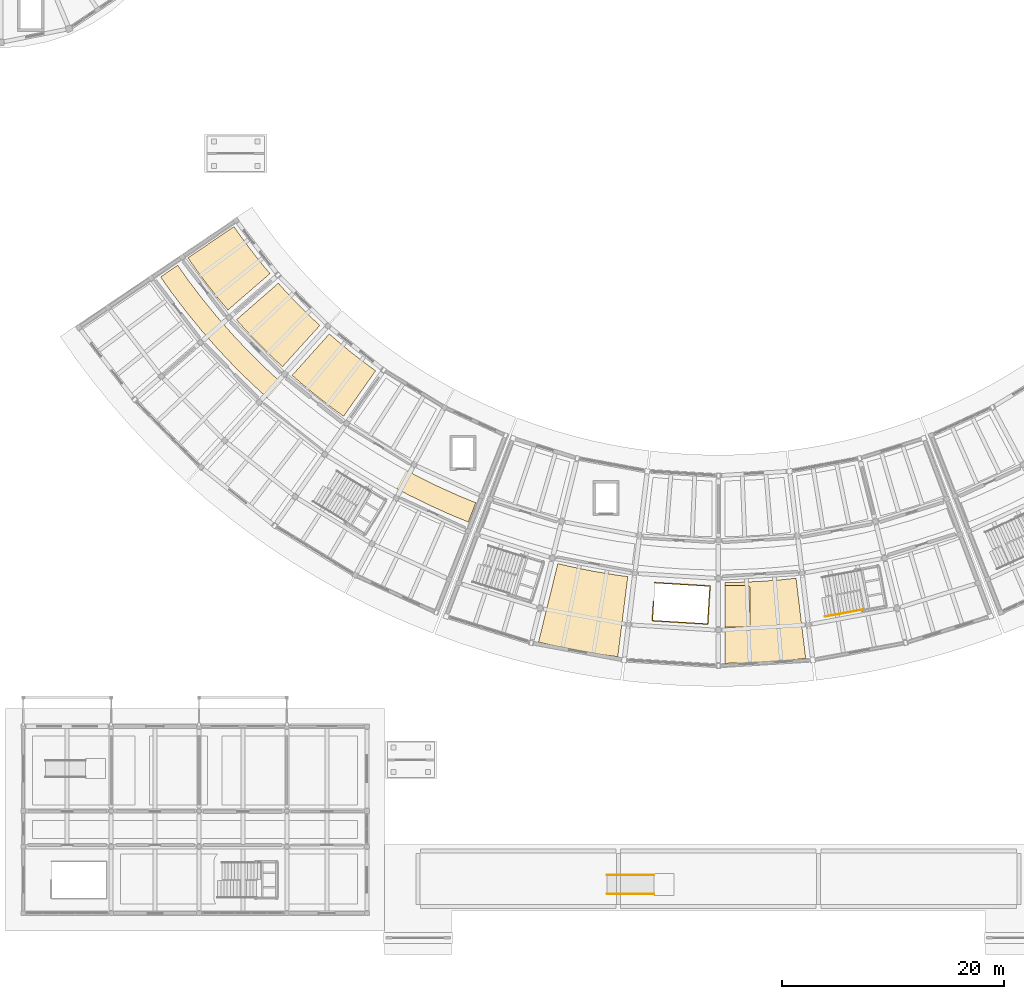
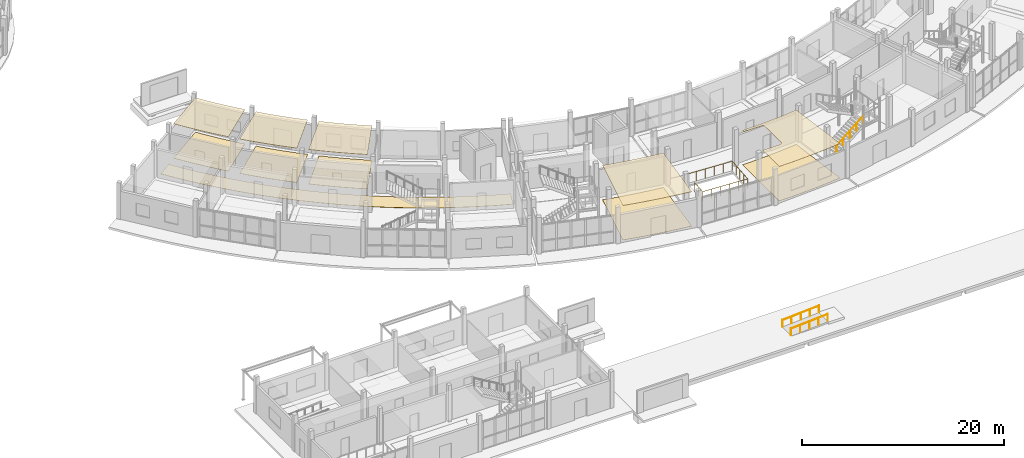
# One storey, part 81 of 92: 11 coverings, 4 railings.
"""IFC4 building model written with IfcOpenShell, lengths in metres."""

import ifcopenshell
import ifcopenshell.guid

model = None  # the IFC model being written
_history = None  # IfcOwnerHistory: only IFC2X3 demands one
_inside = {}  # id of a spatial element -> (the spatial element, [elements in it])
_under = {}  # id of a project, library or spatial element -> (it, [spatial elements below it])
_declared = {}  # id of a project -> (the project, [libraries it declares])
_typed = {}  # id of a type object -> (the type object, [elements of that type])
_made_of = {}  # id of a material, layer set ... -> (it, [elements and type objects made of it])


def new_model(schema):
    """Start an empty IFC model of exactly this schema.

    Asked for "IFC4X3", IfcOpenShell would pick the latest addendum, in which some entities
    have other attributes; the version numbers below select the first issue.
    IFC2X3 requires an IfcOwnerHistory on every rooted entity: one is made here for all.
    """
    global model, _history
    if schema == "IFC4X3":
        model = ifcopenshell.file(schema_version=(4, 3, 0, 0))
    else:
        model = ifcopenshell.file(schema=schema)
    _inside.clear()
    _under.clear()
    _declared.clear()
    _typed.clear()
    _made_of.clear()
    _history = None
    if model.schema == "IFC2X3":
        org = make("IfcOrganization", Name="unknown")
        user = make(
            "IfcPersonAndOrganization",
            ThePerson=make("IfcPerson", FamilyName="unknown"),
            TheOrganization=org,
        )
        app = make(
            "IfcApplication",
            ApplicationDeveloper=org,
            Version="unknown",
            ApplicationFullName="unknown",
            ApplicationIdentifier="unknown",
        )
        _history = make(
            "IfcOwnerHistory",
            OwningUser=user,
            OwningApplication=app,
            ChangeAction="ADDED",
            CreationDate=0,
        )
    return model


def make(cls, **values):
    """One entity of the class cls with the attributes given. An attribute that is None is left unset."""
    return model.create_entity(
        cls, **{name: value for name, value in values.items() if value is not None}
    )


def rooted(cls, **values):
    """An entity with a GlobalId (a new one), such as an element, a storey or a relation."""
    return make(cls, GlobalId=ifcopenshell.guid.new(), OwnerHistory=_history, **values)


def si_unit(unit_type, name, prefix=None):
    """IfcSIUnit, for example si_unit("LENGTHUNIT", "METRE", prefix="MILLI")."""
    return make("IfcSIUnit", UnitType=unit_type, Prefix=prefix, Name=name)


def assignment(units):
    """IfcUnitAssignment: the units of a project."""
    return None if units is None else make("IfcUnitAssignment", Units=units)


def point(xyz):
    """IfcCartesianPoint."""
    return None if xyz is None else make("IfcCartesianPoint", Coordinates=xyz)


def direction(xyz):
    """IfcDirection."""
    return None if xyz is None else make("IfcDirection", DirectionRatios=xyz)


def frame(location, z_axis=None, x_axis=None):
    """IfcAxis2Placement3D, a coordinate frame: its origin and axes. An axis left out is left unset."""
    return make(
        "IfcAxis2Placement3D",
        Location=point(location),
        Axis=direction(z_axis),
        RefDirection=direction(x_axis),
    )


def frame_2d(location, x_axis=None):
    """IfcAxis2Placement2D, a coordinate frame in the plane: its origin and x axis."""
    return make(
        "IfcAxis2Placement2D", Location=point(location), RefDirection=direction(x_axis)
    )


def origin():
    """The frame at (0, 0, 0) with its axes left unset."""
    return frame((0.0, 0.0, 0.0))


def origin_2d():
    """The frame at (0, 0) in the plane with its x axis left unset."""
    return frame_2d((0.0, 0.0))


def place(relative_to, where):
    """IfcLocalPlacement: puts the frame where relative to a parent placement (None: the world)."""
    return make(
        "IfcLocalPlacement", PlacementRelTo=relative_to, RelativePlacement=where
    )


def context(
    kind, dimensions, precision=None, world=None, true_north=None, identifier=None
):
    """IfcGeometricRepresentationContext, for example the 3D "Model" context."""
    return make(
        "IfcGeometricRepresentationContext",
        ContextIdentifier=identifier,
        ContextType=kind,
        CoordinateSpaceDimension=dimensions,
        Precision=precision,
        WorldCoordinateSystem=world,
        TrueNorth=true_north,
    )


def subcontext(parent, identifier, kind, view, scale=None):
    """IfcGeometricRepresentationSubContext, for example "Body" below "Model"."""
    return make(
        "IfcGeometricRepresentationSubContext",
        ContextIdentifier=identifier,
        ContextType=kind,
        ParentContext=parent,
        TargetScale=scale,
        TargetView=view,
    )


def project(units=None, contexts=None):
    """IfcProject with its units and contexts."""
    return rooted(
        "IfcProject",
        Name="project",
        RepresentationContexts=contexts,
        UnitsInContext=assignment(units),
    )


def spatial(cls, under=None, at=None, **own):
    """A site, building, storey or space (cls), placed at a placement, below another one or the project."""
    s = rooted(cls, ObjectPlacement=at, **own)
    if under is not None:
        _under.setdefault(under.id(), (under, []))[1].append(s)
    return s


def polyline(points):
    """IfcPolyline through the points."""
    return make("IfcPolyline", Points=[point(p) for p in points])


def profile(cls, at=None, kind="AREA", **sizes):
    """A parametric profile (cls). Its sizes go by their IFC names, for example OverallWidth=200.0."""
    return make(cls, ProfileType=kind, Position=at, **sizes)


def circle(**sizes):
    """IfcCircleProfileDef."""
    return profile("IfcCircleProfileDef", **sizes)


def outline(outer, holes=None, kind="AREA"):
    """IfcArbitraryClosedProfileDef: a profile drawn as a closed curve; with holes, ...WithVoids."""
    if holes is None:
        return make("IfcArbitraryClosedProfileDef", ProfileType=kind, OuterCurve=outer)
    return make(
        "IfcArbitraryProfileDefWithVoids",
        ProfileType=kind,
        OuterCurve=outer,
        InnerCurves=holes,
    )


def extrude(swept, where, along, depth):
    """IfcExtrudedAreaSolid: the profile swept, set in the frame where, extruded along a direction by depth."""
    return make(
        "IfcExtrudedAreaSolid",
        SweptArea=swept,
        Position=where,
        ExtrudedDirection=direction(along),
        Depth=depth,
    )


def shape(context_of_items, identifier, shape_type, items):
    """IfcShapeRepresentation: the items that make up one representation, for example the "Body"."""
    return make(
        "IfcShapeRepresentation",
        ContextOfItems=context_of_items,
        RepresentationIdentifier=identifier,
        RepresentationType=shape_type,
        Items=items,
    )


def material(Name=None, Category=None):
    """IfcMaterial."""
    return make("IfcMaterial", Name=Name, Category=Category)


def layer(
    of_material, thickness, ventilated=None, Name=None, Category=None, Priority=None
):
    """IfcMaterialLayer: one layer of a wall or slab, of a material (None: an air gap)."""
    return make(
        "IfcMaterialLayer",
        Material=of_material,
        LayerThickness=thickness,
        IsVentilated=ventilated,
        Name=Name,
        Category=Category,
        Priority=Priority,
    )


def layer_set(layers, Name=None):
    """IfcMaterialLayerSet."""
    return make("IfcMaterialLayerSet", MaterialLayers=layers, LayerSetName=Name)


def made_of(thing, what):
    """Note that an element or type object is made of a material, layer set ...; save() writes the relation."""
    if what is not None:
        _made_of.setdefault(what.id(), (what, []))[1].append(thing)
    return thing


def type_object(cls, material=None, **own):
    """A type object (cls), such as IfcWallType, which elements share."""
    return made_of(rooted(cls, **own), material)


def element(
    cls,
    number,
    at=None,
    inside=None,
    cuts=None,
    type_object=None,
    material=None,
    context=None,
    identifier="Body",
    shape_type=None,
    held_by="IfcProductDefinitionShape",
    body=None,
    shapes=None,
    **own,
):
    """One element of the class cls, such as IfcWall. Its Tag is "e" and its number.

    at: its placement. inside: the storey or other place that contains it. cuts: it is an
    opening in that element (IfcRelVoidsElement). A single representation is given by context,
    identifier, shape_type and body (its items); several are given by shapes. held_by: the class
    of the entity that holds the representations. save() writes the other relations.
    """
    e = rooted(cls, Tag="e%d" % number, ObjectPlacement=at, **own)
    if body is not None:
        shapes = [shape(context, identifier, shape_type, body)]
    if shapes is not None:
        e.Representation = make(held_by, Representations=shapes)
    if inside is not None:
        _inside.setdefault(inside.id(), (inside, []))[1].append(e)
    if cuts is not None:
        rooted(
            "IfcRelVoidsElement", RelatingBuildingElement=cuts, RelatedOpeningElement=e
        )
    if type_object is not None:
        _typed.setdefault(type_object.id(), (type_object, []))[1].append(e)
    return made_of(e, material)


def aggregate(whole, parts):
    """IfcRelAggregates: a whole, such as a stair, and the parts it consists of."""
    return rooted("IfcRelAggregates", RelatingObject=whole, RelatedObjects=parts)


def save(model, path):
    """Write the relations noted so far, then the file.

    IfcRelAggregates (storeys below a building ...), IfcRelContainedInSpatialStructure (elements
    in a storey), IfcRelDefinesByType, IfcRelAssociatesMaterial and IfcRelDeclares: one each for
    every whole, place, type object, material and project.
    """
    for whole, parts in _under.values():
        aggregate(whole, parts)
    for where, things in _inside.values():
        rooted(
            "IfcRelContainedInSpatialStructure",
            RelatedElements=things,
            RelatingStructure=where,
        )
    for kind, things in _typed.values():
        rooted("IfcRelDefinesByType", RelatedObjects=things, RelatingType=kind)
    for what, things in _made_of.values():
        rooted("IfcRelAssociatesMaterial", RelatedObjects=things, RelatingMaterial=what)
    for by, libraries in _declared.values():
        rooted("IfcRelDeclares", RelatingContext=by, RelatedDefinitions=libraries)
    model.write(path)


model = new_model("IFC4")

# Units and contexts
model_context = context("Model", 3, precision=1e-05, world=origin(), true_north=direction((0.0, 1.0)))
body_context = subcontext(model_context, "Body", "Model", "MODEL_VIEW")
ifc_project = project(units=[si_unit("LENGTHUNIT", "METRE"), si_unit("AREAUNIT", "SQUARE_METRE"), si_unit("VOLUMEUNIT", "CUBIC_METRE"), si_unit("PLANEANGLEUNIT", "RADIAN"), si_unit("MASSUNIT", "GRAM", prefix="KILO")], contexts=[model_context])

# Site, building, storey
site_placement = place(None, origin())
site = spatial("IfcSite", under=ifc_project, at=site_placement, CompositionType="ELEMENT")
building_placement = place(site_placement, origin())
building = spatial("IfcBuilding", under=site, at=building_placement, Name="Caldaven Crescent School", CompositionType="ELEMENT")
storey_placement = place(building_placement, origin())
storey = spatial("IfcBuildingStorey", under=building, at=storey_placement, Name="L00", CompositionType="ELEMENT", Elevation=0.0)

# Coverings
ifc_material_1 = material(Name="Perforated Pino Radiata acoustic timber baffle ceiling", Category="wood")
ifc_layer_1 = layer(ifc_material_1, 0.0380859375)
ifc_layer_set_1 = layer_set([ifc_layer_1], Name="Perforated Pino Radiata acoustic timber baffle ceiling")
covering_type_1 = type_object("IfcCoveringType", Name="COV-CLG2", PredefinedType="CEILING", material=ifc_layer_set_1)
covering_1_placement = place(storey_placement, frame((0.0, 0.0, 4.162109375)))
element("IfcCovering", 1, at=covering_1_placement, inside=storey, type_object=covering_type_1, Name="CLG-L00-089", PredefinedType="CEILING", context=body_context, shape_type="SweptSolid", body=[
    extrude(outline(polyline([(45.0751953125, 65.03173828125), (45.082763671875, 65.02099609375), (46.00390625, 63.783447265625), (46.011962890625, 63.77294921875), (46.968994140625, 62.56298828125), (46.977294921875, 62.552978515625), (47.68408203125, 61.711181640625), (43.9033203125, 58.439697265625), (43.097412109375, 59.39892578125), (42.041015625, 60.734619140625), (41.0244140625, 62.1005859375), (40.306396484375, 63.127197265625), (44.445068359375, 65.9326171875), (45.0751953125, 65.03173828125)])), origin(), (0.0, 0.0, 1.0), 0.037841796875),
])
covering_2_placement = place(storey_placement, frame((0.0, 0.0, 4.162109375)))
element("IfcCovering", 2, at=covering_2_placement, inside=storey, type_object=covering_type_1, Name="CLG-L00-093", PredefinedType="CEILING", context=body_context, shape_type="SweptSolid", body=[
    extrude(outline(polyline([(53.842041015625, 55.567138671875), (53.85205078125, 55.55859375), (55.045166015625, 54.580810546875), (55.055419921875, 54.572509765625), (56.27685546875, 53.6298828125), (56.287353515625, 53.6220703125), (57.177001953125, 52.976318359375), (54.2998046875, 48.88720703125), (53.285888671875, 49.623291015625), (51.937744140625, 50.66357421875), (50.620849609375, 51.742919921875), (49.67578125, 52.5654296875), (53.0126953125, 56.288818359375), (53.842041015625, 55.567138671875)])), origin(), (0.0, 0.0, 1.0), 0.037841796875),
])
ifc_layer_2 = layer(ifc_material_1, 0.0458984375)
ifc_layer_set_2 = layer_set([ifc_layer_2], Name="Perforated Pino Radiata acoustic timber baffle ceiling")
covering_type_2 = type_object("IfcCoveringType", Name="COV-CLG3", PredefinedType="CEILING", material=ifc_layer_set_2)
covering_3_placement = place(storey_placement, frame((0.0, 0.0, 4.154052734375)))
element("IfcCovering", 3, at=covering_3_placement, inside=storey, type_object=covering_type_2, Name="CLG-L00-102", PredefinedType="CEILING", context=body_context, shape_type="SweptSolid", body=[
    extrude(outline(polyline([(89.960205078125, 33.9609375), (89.973388671875, 33.96142578125), (91.78271484375, 34.04541015625), (91.7958984375, 34.046142578125), (93.60205078125, 34.183349609375), (93.614990234375, 34.1845703125), (94.9755859375, 34.328125), (95.84375, 27.120361328125), (94.264404296875, 26.95361328125), (92.232421875, 26.79931640625), (90.19677734375, 26.704833984375), (88.609130859375, 26.677978515625), (88.6015625, 29.949951171875), (90.60009765625, 29.949951171875), (90.62451171875, 29.951171875), (90.648681640625, 29.954833984375), (90.672607421875, 29.960693359375), (90.69580078125, 29.968994140625), (90.7177734375, 29.9794921875), (90.739013671875, 29.9921875), (90.758544921875, 30.006591796875), (90.77685546875, 30.023193359375), (90.793212890625, 30.04150390625), (90.807861328125, 30.06103515625), (90.820556640625, 30.082275390625), (90.8310546875, 30.104248046875), (90.839111328125, 30.12744140625), (90.84521484375, 30.151123046875), (90.848876953125, 30.175537109375), (90.85009765625, 30.199951171875), (90.85009765625, 33.39990234375), (90.848876953125, 33.424560546875), (90.84521484375, 33.44873046875), (90.839111328125, 33.47265625), (90.8310546875, 33.49560546875), (90.820556640625, 33.517822265625), (90.807861328125, 33.538818359375), (90.793212890625, 33.55859375), (90.77685546875, 33.576904296875), (90.758544921875, 33.59326171875), (90.739013671875, 33.60791015625), (90.7177734375, 33.62060546875), (90.69580078125, 33.631103515625), (90.672607421875, 33.63916015625), (90.648681640625, 33.645263671875), (90.62451171875, 33.648681640625), (90.60009765625, 33.64990234375), (88.593017578125, 33.64990234375), (88.59228515625, 33.937744140625), (89.960205078125, 33.9609375)])), origin(), (0.0, 0.0, 1.0), 0.0458984375),
])
ifc_layer_3 = layer(ifc_material_1, 0.053955078125)
ifc_layer_set_3 = layer_set([ifc_layer_3], Name="Perforated Pino Radiata acoustic timber baffle ceiling")
covering_type_3 = type_object("IfcCoveringType", Name="COV-CLG4", PredefinedType="CEILING", material=ifc_layer_set_3)
covering_4_placement = place(storey_placement, frame((0.0, 0.0, 4.14599609375)))
element("IfcCovering", 4, at=covering_4_placement, inside=storey, type_object=covering_type_3, Name="CLG-L00-091", PredefinedType="CEILING", context=body_context, shape_type="SweptSolid", body=[
    extrude(outline(polyline([(49.169189453125, 60.03125), (49.177978515625, 60.021484375), (50.242919921875, 58.905517578125), (50.252197265625, 58.896240234375), (51.349609375, 57.81201171875), (51.359130859375, 57.802734375), (52.163330078125, 57.053466796875), (48.809326171875, 53.345458984375), (47.892578125, 54.199462890625), (46.681396484375, 55.396240234375), (45.505859375, 56.62841796875), (44.668212890625, 57.559814453125), (48.43408203125, 60.8486328125), (49.169189453125, 60.03125)])), origin(), (0.0, 0.0, 1.0), 0.053955078125),
])
covering_5_placement = place(storey_placement, frame((0.0, 0.0, 4.14599609375)))
element("IfcCovering", 5, at=covering_5_placement, inside=storey, type_object=covering_type_3, Name="CLG-L00-099", PredefinedType="CEILING", context=body_context, shape_type="SweptSolid", body=[
    extrude(outline(polyline([(74.893310546875, 35.32958984375), (74.90625, 35.326904296875), (76.68212890625, 34.970703125), (76.695068359375, 34.96826171875), (78.480712890625, 34.664306640625), (78.493896484375, 34.662353515625), (79.848388671875, 34.47265625), (78.947265625, 27.268798828125), (77.374755859375, 27.489013671875), (75.365478515625, 27.8310546875), (73.367431640625, 28.231689453125), (71.8203125, 28.589599609375), (73.560546875, 35.637939453125), (74.893310546875, 35.32958984375)])), origin(), (0.0, 0.0, 1.0), 0.053955078125),
])
ifc_material_2 = material(Name="Polished terrazzo and acoustic linoleum flooring")
ifc_layer_4 = layer(ifc_material_2, 0.02001953125)
ifc_layer_set_4 = layer_set([ifc_layer_4], Name="Polished terrazzo and acoustic linoleum flooring")
covering_type_4 = type_object("IfcCoveringType", Name="COV-FLR1", PredefinedType="FLOORING", material=ifc_layer_set_4)
covering_6_placement = place(storey_placement, origin())
element("IfcCovering", 6, at=covering_6_placement, inside=storey, type_object=covering_type_4, Name="FLR-L00-093", PredefinedType="FLOORING", context=body_context, shape_type="SweptSolid", body=[
    extrude(outline(polyline([(53.0126953125, 56.288818359375), (53.842041015625, 55.567138671875), (53.85205078125, 55.55859375), (55.045166015625, 54.580810546875), (55.055419921875, 54.572509765625), (56.27685546875, 53.6298828125), (56.287353515625, 53.6220703125), (57.177001953125, 52.976318359375), (54.2998046875, 48.88720703125), (53.285888671875, 49.623291015625), (51.937744140625, 50.66357421875), (50.620849609375, 51.742919921875), (49.67578125, 52.5654296875), (53.0126953125, 56.288818359375)])), origin(), (0.0, 0.0, 1.0), 0.02001953125),
])
covering_7_placement = place(storey_placement, origin())
element("IfcCovering", 7, at=covering_7_placement, inside=storey, type_object=covering_type_4, Name="FLR-L00-099", PredefinedType="FLOORING", context=body_context, shape_type="SweptSolid", body=[
    extrude(outline(polyline([(73.560546875, 35.637939453125), (74.893310546875, 35.32958984375), (74.90625, 35.326904296875), (76.68212890625, 34.970703125), (76.695068359375, 34.96826171875), (78.480712890625, 34.664306640625), (78.493896484375, 34.662353515625), (79.848388671875, 34.47265625), (78.947265625, 27.268798828125), (77.374755859375, 27.489013671875), (75.365478515625, 27.8310546875), (73.367431640625, 28.231689453125), (71.8203125, 28.589599609375), (73.560546875, 35.637939453125)])), origin(), (0.0, 0.0, 1.0), 0.02001953125),
])
covering_8_placement = place(storey_placement, origin())
element("IfcCovering", 8, at=covering_8_placement, inside=storey, type_object=covering_type_4, Name="FLR-L00-102", PredefinedType="FLOORING", context=body_context, shape_type="SweptSolid", body=[
    extrude(outline(polyline([(88.59228515625, 33.937744140625), (89.960205078125, 33.9609375), (89.973388671875, 33.96142578125), (91.78271484375, 34.04541015625), (91.7958984375, 34.046142578125), (93.60205078125, 34.183349609375), (93.614990234375, 34.1845703125), (94.9755859375, 34.328125), (95.84375, 27.120361328125), (94.264404296875, 26.95361328125), (92.232421875, 26.79931640625), (90.19677734375, 26.704833984375), (88.609130859375, 26.677978515625), (88.59228515625, 33.937744140625)])), origin(), (0.0, 0.0, 1.0), 0.02001953125),
])
ifc_layer_5 = layer(ifc_material_2, 0.02587890625)
ifc_layer_set_5 = layer_set([ifc_layer_5], Name="Polished terrazzo and acoustic linoleum flooring")
covering_type_5 = type_object("IfcCoveringType", Name="COV-FLR2", PredefinedType="FLOORING", material=ifc_layer_set_5)
covering_9_placement = place(storey_placement, origin())
element("IfcCovering", 9, at=covering_9_placement, inside=storey, type_object=covering_type_5, Name="FLR-L00-088", PredefinedType="FLOORING", context=body_context, shape_type="SweptSolid", body=[
    extrude(outline(polyline([(39.3857421875, 62.456298828125), (40.33056640625, 61.1162109375), (40.340087890625, 61.103271484375), (41.59912109375, 59.445556640625), (41.609130859375, 59.43310546875), (42.926513671875, 57.821044921875), (42.936767578125, 57.808837890625), (44.310302734375, 56.244873046875), (44.321044921875, 56.23291015625), (45.74951171875, 54.718505859375), (45.760498046875, 54.707275390625), (47.241943359375, 53.244384765625), (47.25341796875, 53.2333984375), (48.78564453125, 51.82421875), (48.797607421875, 51.813720703125), (50.37890625, 50.459716796875), (50.39111328125, 50.44970703125), (52.01953125, 49.152587890625), (52.0322265625, 49.14306640625), (53.70556640625, 47.90478515625), (53.718505859375, 47.8955078125), (55.434814453125, 46.71728515625), (55.4482421875, 46.70849609375), (57.205322265625, 45.59228515625), (57.218994140625, 45.583984375), (59.014404296875, 44.530517578125), (59.028564453125, 44.522705078125), (60.8603515625, 43.533935546875), (60.87451171875, 43.526611328125), (62.740234375, 42.603515625), (62.7548828125, 42.596435546875), (64.652099609375, 41.739990234375), (64.6669921875, 41.73388671875), (66.184326171875, 41.11279296875), (65.510498046875, 39.37939453125), (63.924560546875, 40.0283203125), (61.952392578125, 40.91845703125), (60.012939453125, 41.878173828125), (58.10888671875, 42.906005859375), (56.24267578125, 44.000732421875), (54.41650390625, 45.160888671875), (52.63232421875, 46.385498046875), (50.893310546875, 47.672607421875), (49.20068359375, 49.0205078125), (47.556884765625, 50.427734375), (45.96435546875, 51.892578125), (44.4248046875, 53.412841796875), (42.940185546875, 54.987060546875), (41.512451171875, 56.61279296875), (40.143310546875, 58.2880859375), (38.83447265625, 60.010986328125), (37.846923828125, 61.41162109375), (39.3857421875, 62.456298828125)])), origin(), (0.0, 0.0, 1.0), 0.02587890625),
])
covering_10_placement = place(storey_placement, origin())
element("IfcCovering", 10, at=covering_10_placement, inside=storey, type_object=covering_type_5, Name="FLR-L00-091", PredefinedType="FLOORING", context=body_context, shape_type="SweptSolid", body=[
    extrude(outline(polyline([(48.43408203125, 60.8486328125), (49.169189453125, 60.03125), (49.177978515625, 60.021484375), (50.242919921875, 58.905517578125), (50.252197265625, 58.896240234375), (51.349609375, 57.81201171875), (51.359130859375, 57.802734375), (52.163330078125, 57.053466796875), (48.809326171875, 53.345458984375), (47.892578125, 54.199462890625), (46.681396484375, 55.396240234375), (45.505859375, 56.62841796875), (44.668212890625, 57.559814453125), (48.43408203125, 60.8486328125)])), origin(), (0.0, 0.0, 1.0), 0.02587890625),
])
ifc_layer_6 = layer(ifc_material_2, 0.031982421875)
ifc_layer_set_6 = layer_set([ifc_layer_6], Name="Polished terrazzo and acoustic linoleum flooring")
covering_type_6 = type_object("IfcCoveringType", Name="COV-FLR3", PredefinedType="FLOORING", material=ifc_layer_set_6)
covering_11_placement = place(storey_placement, origin())
element("IfcCovering", 11, at=covering_11_placement, inside=storey, type_object=covering_type_6, Name="FLR-L00-089", PredefinedType="FLOORING", context=body_context, shape_type="SweptSolid", body=[
    extrude(outline(polyline([(44.445068359375, 65.9326171875), (45.0751953125, 65.03173828125), (45.082763671875, 65.02099609375), (46.00390625, 63.783447265625), (46.011962890625, 63.77294921875), (46.968994140625, 62.56298828125), (46.977294921875, 62.552978515625), (47.68408203125, 61.711181640625), (43.9033203125, 58.439697265625), (43.097412109375, 59.39892578125), (42.041015625, 60.734619140625), (41.0244140625, 62.1005859375), (40.306396484375, 63.127197265625), (44.445068359375, 65.9326171875)])), origin(), (0.0, 0.0, 1.0), 0.031982421875),
])

# Railings
ifc_material_3 = material(Name="Brushed stainless-steel continuous tubular handrail", Category="steel")
railing_type_1 = type_object("IfcRailingType", Name="RAL-HR1", PredefinedType="HANDRAIL", material=ifc_material_3)
railing_1_placement = place(storey_placement, frame((97.589111328125, 30.871826171875, 0.173095703125)))
element("IfcRailing", 12, at=railing_1_placement, inside=storey, type_object=railing_type_1, Name="HR-ST3-L00-F1", PredefinedType="HANDRAIL", context=body_context, shape_type="SweptSolid", body=[
    extrude(circle(Radius=0.02392578125, at=origin_2d()), frame((0.0, 0.0, 0.85595703125), z_axis=(0.848280873965, 0.15723699419, 0.505664005564), x_axis=(-0.18225505464, 0.98325128785, 0.0)), (0.0, 0.0, 1.0), 4.033935546875),
    extrude(circle(Radius=0.02099609375, at=origin_2d()), origin(), (0.0, 0.0, 1.0), 0.831787109375),
    extrude(circle(Radius=0.02099609375, at=origin_2d()), frame((0.85546875, 0.15869140625, 0.510009765625)), (0.0, 0.0, 1.0), 0.831787109375),
    extrude(circle(Radius=0.02099609375, at=origin_2d()), frame((1.7109375, 0.317138671875, 1.02001953125)), (0.0, 0.0, 1.0), 0.831787109375),
    extrude(circle(Radius=0.02099609375, at=origin_2d()), frame((2.56640625, 0.4755859375, 1.52978515625)), (0.0, 0.0, 1.0), 0.831787109375),
    extrude(circle(Radius=0.02099609375, at=origin_2d()), frame((3.421875, 0.63427734375, 2.039794921875)), (0.0, 0.0, 1.0), 0.831787109375),
])
railing_type_2 = type_object("IfcRailingType", Name="RAL-HR2", PredefinedType="HANDRAIL", material=ifc_material_3)
for number, where, name in (
    (13, (78.0, 5.949951171875, 0.0), "HR-RMP6-L"),
    (14, (78.0, 7.64990234375, 0.0), "HR-RMP6-R"),
):
    element("IfcRailing", number, at=place(storey_placement, frame(where)), inside=storey, type_object=railing_type_2, Name=name, PredefinedType="HANDRAIL", context=body_context, shape_type="SweptSolid", body=[
        extrude(circle(Radius=0.02392578125, at=origin_2d()), frame((0.0, 0.0, 0.8759765625), z_axis=(0.997784644547, 0.0, 0.066526709719), x_axis=(0.0, 1.0, 0.0)), (0.0, 0.0, 1.0), 4.209228515625),
        extrude(circle(Radius=0.02099609375, at=origin_2d()), origin(), (0.0, 0.0, 1.0), 0.851806640625),
        extrude(circle(Radius=0.02099609375, at=origin_2d()), frame((1.050048828125, 0.0, 0.070068359375)), (0.0, 0.0, 1.0), 0.851806640625),
        extrude(circle(Radius=0.02099609375, at=origin_2d()), frame((2.10009765625, 0.0, 0.14013671875)), (0.0, 0.0, 1.0), 0.851806640625),
        extrude(circle(Radius=0.02099609375, at=origin_2d()), frame((3.14990234375, 0.0, 0.2099609375)), (0.0, 0.0, 1.0), 0.851806640625),
        extrude(circle(Radius=0.02099609375, at=origin_2d()), frame((4.199951171875, 0.0, 0.280029296875)), (0.0, 0.0, 1.0), 0.851806640625),
    ])
ifc_material_4 = material(Name="Powder-coated tubular steel balustrade ASTM A572 Grade 50", Category="steel")
railing_type_3 = type_object("IfcRailingType", Name="RAL-INT3", PredefinedType="BALUSTRADE", material=ifc_material_4)
railing_2_placement = place(storey_placement, frame((82.16455078125, 32.2373046875, 0.0)))
element("IfcRailing", 15, at=railing_2_placement, inside=storey, type_object=railing_type_3, Name="GD-WELL-STB3-L00", PredefinedType="BALUSTRADE", context=body_context, shape_type="SweptSolid", body=[
    extrude(circle(Radius=0.02392578125, at=origin_2d()), frame((0.0, 0.0, 1.1259765625), z_axis=(-0.061104324849, -0.998131384881, 0.0), x_axis=(0.998131384881, -0.061104324849, 0.0)), (0.0, 0.0, 1.0), 1.72998046875),
    extrude(circle(Radius=0.02392578125, at=origin_2d()), frame((-0.105712890625, -1.726806640625, 1.1259765625), z_axis=(0.998134082426, -0.06106024483, 0.0), x_axis=(0.06106024483, 0.998134082426, 0.0)), (0.0, 0.0, 1.0), 4.98193359375),
    extrude(circle(Radius=0.02392578125, at=origin_2d()), frame((4.866943359375, -2.031005859375, 1.1259765625), z_axis=(0.061102806624, 0.998131477824, 0.0), x_axis=(-0.998131477824, 0.061102806624, 0.0)), (0.0, 0.0, 1.0), 3.420166015625),
    extrude(circle(Radius=0.02392578125, at=origin_2d()), frame((5.075927734375, 1.3828125, 1.1259765625), z_axis=(-0.998137250319, 0.061008438149, 0.0), x_axis=(-0.061008438149, -0.998137250319, 0.0)), (0.0, 0.0, 1.0), 4.982177734375),
    extrude(circle(Radius=0.02099609375, at=origin_2d()), origin(), (0.0, 0.0, 1.0), 1.101806640625),
    extrude(circle(Radius=0.02099609375, at=origin_2d()), frame((-0.052734375, -0.86328125, 0.0)), (0.0, 0.0, 1.0), 1.101806640625),
    extrude(circle(Radius=0.02099609375, at=origin_2d()), frame((-0.105712890625, -1.726806640625, 0.0)), (0.0, 0.0, 1.0), 1.101806640625),
    extrude(circle(Radius=0.02099609375, at=origin_2d()), frame((0.888916015625, -1.78759765625, 0.0)), (0.0, 0.0, 1.0), 1.101806640625),
    extrude(circle(Radius=0.02099609375, at=origin_2d()), frame((1.88330078125, -1.848388671875, 0.0)), (0.0, 0.0, 1.0), 1.101806640625),
    extrude(circle(Radius=0.02099609375, at=origin_2d()), frame((2.8779296875, -1.909423828125, 0.0)), (0.0, 0.0, 1.0), 1.101806640625),
    extrude(circle(Radius=0.02099609375, at=origin_2d()), frame((3.872314453125, -1.97021484375, 0.0)), (0.0, 0.0, 1.0), 1.101806640625),
    extrude(circle(Radius=0.02099609375, at=origin_2d()), frame((4.866943359375, -2.031005859375, 0.0)), (0.0, 0.0, 1.0), 1.101806640625),
    extrude(circle(Radius=0.02099609375, at=origin_2d()), frame((4.919189453125, -1.177490234375, 0.0)), (0.0, 0.0, 1.0), 1.101806640625),
    extrude(circle(Radius=0.02099609375, at=origin_2d()), frame((4.971435546875, -0.32421875, 0.0)), (0.0, 0.0, 1.0), 1.101806640625),
    extrude(circle(Radius=0.02099609375, at=origin_2d()), frame((5.023681640625, 0.529296875, 0.0)), (0.0, 0.0, 1.0), 1.101806640625),
    extrude(circle(Radius=0.02099609375, at=origin_2d()), frame((5.075927734375, 1.3828125, 0.0)), (0.0, 0.0, 1.0), 1.101806640625),
    extrude(circle(Radius=0.02099609375, at=origin_2d()), frame((4.081298828125, 1.443603515625, 0.0)), (0.0, 0.0, 1.0), 1.101806640625),
    extrude(circle(Radius=0.02099609375, at=origin_2d()), frame((3.086669921875, 1.50439453125, 0.0)), (0.0, 0.0, 1.0), 1.101806640625),
    extrude(circle(Radius=0.02099609375, at=origin_2d()), frame((2.09228515625, 1.565185546875, 0.0)), (0.0, 0.0, 1.0), 1.101806640625),
    extrude(circle(Radius=0.02099609375, at=origin_2d()), frame((1.09765625, 1.6259765625, 0.0)), (0.0, 0.0, 1.0), 1.101806640625),
    extrude(circle(Radius=0.02099609375, at=origin_2d()), frame((0.10302734375, 1.686767578125, 0.0)), (0.0, 0.0, 1.0), 1.101806640625),
])

save(model, "model.ifc")
